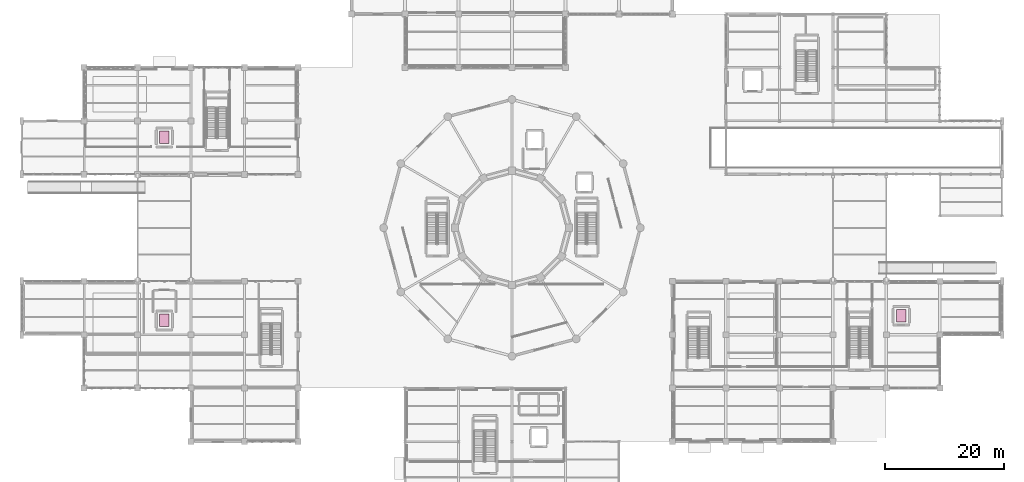
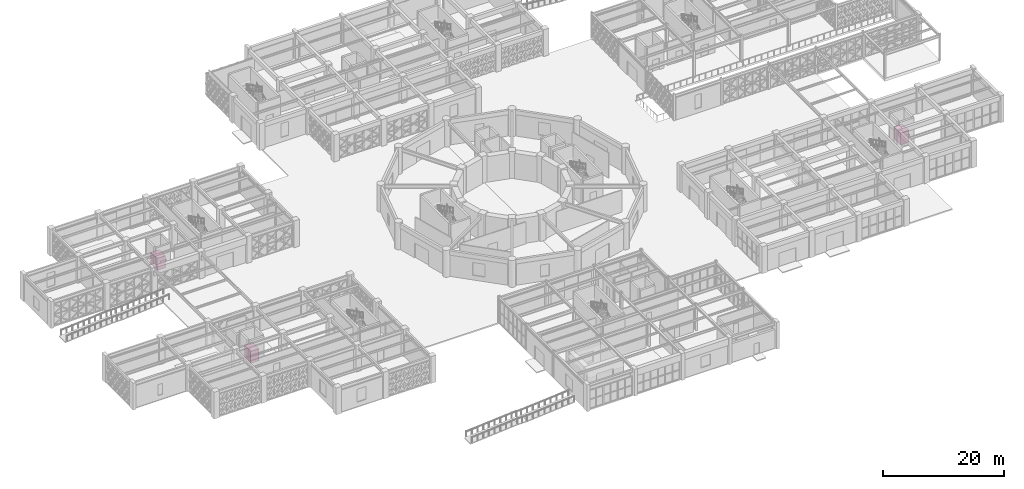
# One storey, part 140 of 140: 3 transport elements.
"""IFC4 building model written with IfcOpenShell, lengths in metres."""

from ifc_helpers import new_model, si_unit, direction, frame, origin, origin_2d, place, context, subcontext, project, spatial, rectangle, extrude, material, type_object, element, save


model = new_model("IFC4")

# Units and contexts
model_context = context("Model", 3, precision=1e-05, world=origin(), true_north=direction((0.0, 1.0)))
body_context = subcontext(model_context, "Body", "Model", "MODEL_VIEW")
ifc_project = project(units=[si_unit("LENGTHUNIT", "METRE"), si_unit("AREAUNIT", "SQUARE_METRE"), si_unit("VOLUMEUNIT", "CUBIC_METRE"), si_unit("PLANEANGLEUNIT", "RADIAN"), si_unit("MASSUNIT", "GRAM", prefix="KILO")], contexts=[model_context])

# Site, building, storey
site_placement = place(None, origin())
site = spatial("IfcSite", under=ifc_project, at=site_placement, CompositionType="ELEMENT")
building_placement = place(site_placement, origin())
building = spatial("IfcBuilding", under=site, at=building_placement, Name="Haizhuo Lancet Aquarium", CompositionType="ELEMENT")
storey_placement = place(building_placement, origin())
storey = spatial("IfcBuildingStorey", under=building, at=storey_placement, Name="L00", CompositionType="ELEMENT", Elevation=0.0)

# Transport elements
ifc_material_1 = material(Name="Steel S355", Category="steel")
transport_element_type_1 = type_object("IfcTransportElementType", Name="LFT-FIRE-1600x2100", PredefinedType="ELEVATOR", material=ifc_material_1)
transport_element_placement = place(storey_placement, frame((-58.5, -15.60009765625, 0.0), z_axis=(0.0, 0.0, 1.0), x_axis=(1.0, 0.0, 0.0)))
element("IfcTransportElement", 1, at=transport_element_placement, inside=storey, type_object=transport_element_type_1, Name="Elevator car LF-03", PredefinedType="ELEVATOR", context=body_context, shape_type="SweptSolid", body=[
    extrude(rectangle(XDim=1.60009765625, YDim=2.10009765625, at=origin_2d()), origin(), (0.0, 0.0, 1.0), 2.39990234375),
])
ifc_material_2 = material(Name="Aluminium 6063-T6", Category="aluminium")
transport_element_type_2 = type_object("IfcTransportElementType", Name="LFT-PASS-1600x2100", PredefinedType="ELEVATOR", material=ifc_material_2)
for number, where, z_axis, x_axis, name in (
    (2, (65.5, -14.800048828125, 0.0), (0.0, 0.0, 1.0), (1.0, 0.0, 0.0), "Elevator car LP-02"),
    (3, (-58.5, 15.199951171875, 0.0), (0.0, 0.0, 1.0), (1.0, 0.0, 0.0), "Elevator car LP-04"),
):
    element("IfcTransportElement", number, at=place(storey_placement, frame(where, z_axis=z_axis, x_axis=x_axis)), inside=storey, type_object=transport_element_type_2, Name=name, PredefinedType="ELEVATOR", context=body_context, shape_type="SweptSolid", body=[
        extrude(rectangle(XDim=1.60009765625, YDim=2.10009765625, at=origin_2d()), origin(), (0.0, 0.0, 1.0), 2.39990234375),
    ])

save(model, "model.ifc")
